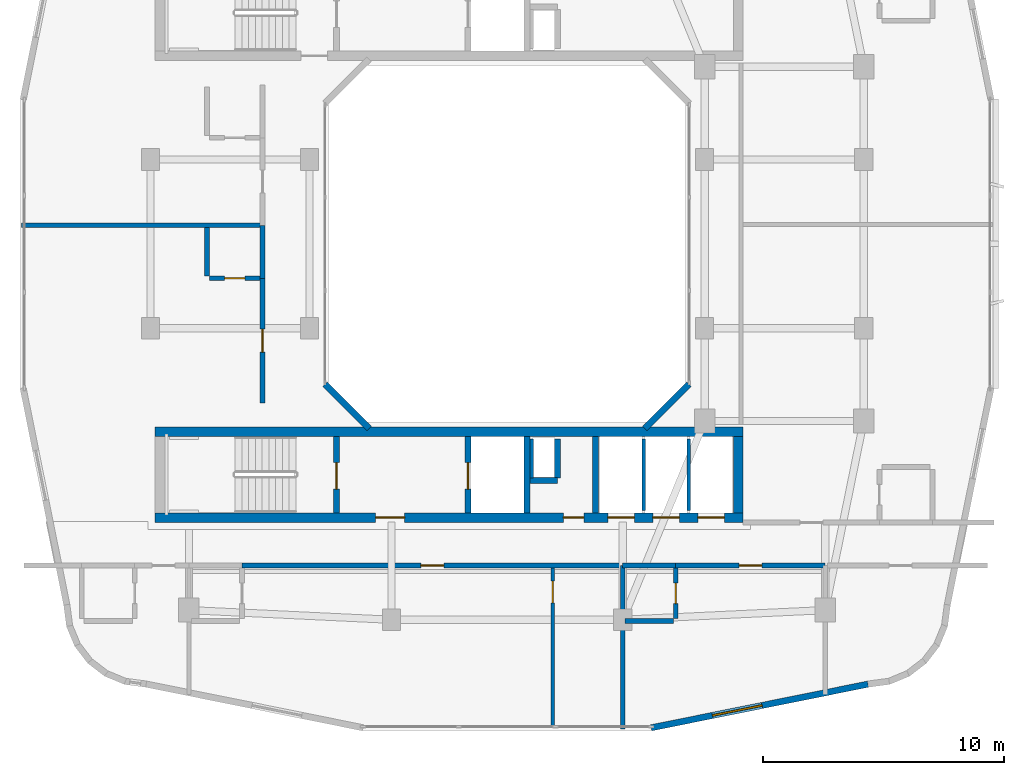
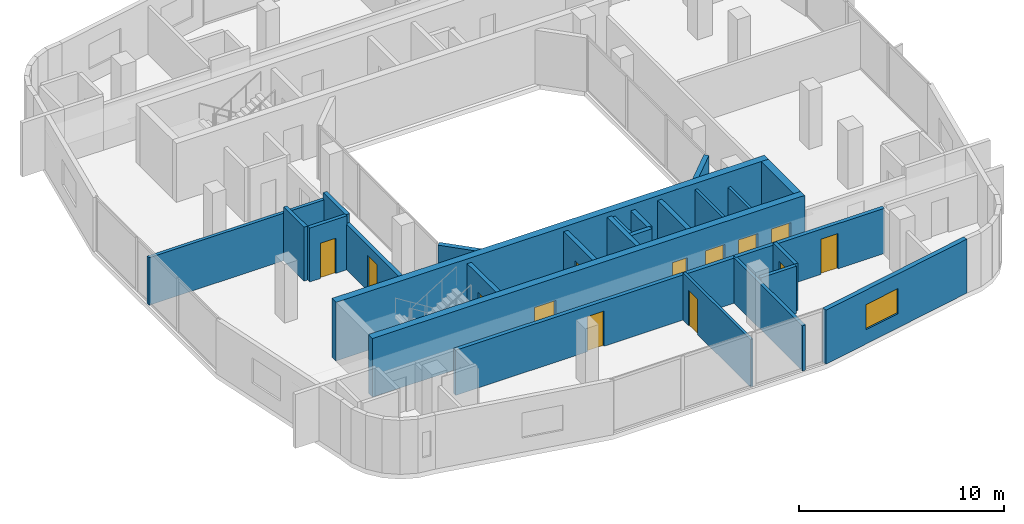
# One storey, part 7 of 14: 27 walls, 13 doors, 1 window, 14 openings.
"""IFC4 building model written with IfcOpenShell, lengths in metres."""

from ifc_helpers import new_model, si_unit, derived_unit, direction, frame, frame_2d, origin, place, context, subcontext, project, spatial, rectangle, extrude, material, layer, layer_set, type_object, element, fill, save


model = new_model("IFC4")

# Units and contexts
model_context = context("Model", 3, precision=1e-05, world=origin(), true_north=direction((0.0, 1.0)))
body_context = subcontext(model_context, "Body", "Model", "MODEL_VIEW")
ifc_project = project(units=[si_unit("LENGTHUNIT", "METRE"), si_unit("AREAUNIT", "SQUARE_METRE"), si_unit("VOLUMEUNIT", "CUBIC_METRE"), si_unit("PLANEANGLEUNIT", "RADIAN"), si_unit("MASSUNIT", "GRAM", prefix="KILO"), derived_unit("THERMALTRANSMITTANCEUNIT", [(si_unit("POWERUNIT", "WATT"), 1), (si_unit("LENGTHUNIT", "METRE"), -2), (si_unit("THERMODYNAMICTEMPERATUREUNIT", "KELVIN"), -1)])], contexts=[model_context])

# Site, building, storey
site_placement = place(None, origin())
site = spatial("IfcSite", under=ifc_project, at=site_placement, CompositionType="ELEMENT")
building_placement = place(site_placement, origin())
building = spatial("IfcBuilding", under=site, at=building_placement, Name="Kivonza Crest Hotel", CompositionType="ELEMENT")
storey_placement = place(building_placement, frame((0.0, 0.0, 138.0)))
storey = spatial("IfcBuildingStorey", under=building, at=storey_placement, Name="L37", CompositionType="ELEMENT", Elevation=138.0)

# Walls
ifc_material_1 = material(Name="High-density acoustic masonry inter-tenancy wall", Category="masonry")
ifc_layer_1 = layer(ifc_material_1, 0.179931640625)
ifc_layer_set_1 = layer_set([ifc_layer_1], Name="High-density acoustic masonry inter-tenancy wall")
wall_type_1 = type_object("IfcWallType", Name="WL-ACOU-180", PredefinedType="SOLIDWALL", material=ifc_layer_set_1)
wall_1_placement = place(storey_placement, frame((25.800048828125, 4.860107421875, 0.0), z_axis=(0.0, 0.0, 1.0), x_axis=(0.0, 1.0, 0.0)))
element("IfcWall", 1, at=wall_1_placement, inside=storey, type_object=wall_type_1, Name="L37 interior partition WA-L37-T1S-DIV2", PredefinedType="SOLIDWALL", context=body_context, shape_type="SweptSolid", body=[
    extrude(rectangle(XDim=6.789794921875, YDim=0.179931640625, at=frame_2d((3.39501953125, 0.0))), origin(), (0.0, 0.0, 1.0), 2.695068359375),
])
wall_2_placement = place(storey_placement, frame((0.860107421875, 25.77001953125, 0.0), z_axis=(0.0, 0.0, 1.0), x_axis=(1.0, 0.0, 0.0)))
element("IfcWall", 2, at=wall_2_placement, inside=storey, type_object=wall_type_1, Name="L37 interior partition WA-L37-T1W-DIV1", PredefinedType="SOLIDWALL", context=body_context, shape_type="SweptSolid", body=[
    extrude(rectangle(XDim=9.989990234375, YDim=0.179931640625, at=frame_2d((4.9951171875, 0.0))), origin(), (0.0, 0.0, 1.0), 2.8349609375),
])

# Wall, opening, door
ifc_material_2 = material(Name="Autoclaved aerated concrete blockwork", Category="masonry")
ifc_layer_2 = layer(ifc_material_2, 0.219970703125)
ifc_layer_set_2 = layer_set([ifc_layer_2], Name="Autoclaved aerated concrete blockwork")
wall_type_2 = type_object("IfcWallType", Name="WL-ACOU-220", PredefinedType="SOLIDWALL", material=ifc_layer_set_2)
wall_3_placement = place(storey_placement, frame((10.0, 11.64990234375, 0.0), z_axis=(0.0, 0.0, 1.0), x_axis=(1.0, 0.0, 0.0)))
wall_3 = element("IfcWall", 3, at=wall_3_placement, inside=storey, type_object=wall_type_2, Name="L37 interior partition WA-L37-S05-MCORR", PredefinedType="SOLIDWALL", context=body_context, shape_type="SweptSolid", body=[
    extrude(rectangle(XDim=15.800048828125, YDim=0.219970703125, at=frame_2d((7.89990234375, 0.0))), origin(), (0.0, 0.0, 1.0), 2.695068359375),
])
opening_1_placement = place(wall_3_placement, frame((7.425048828125, 0.0, 0.0)))
opening_1 = element("IfcOpeningElement", 4, at=opening_1_placement, cuts=wall_3, Name="Opening DU-60", PredefinedType="OPENING", context=body_context, shape_type="SweptSolid", body=[
    extrude(rectangle(XDim=0.949951171875, YDim=2.10009765625, at=frame_2d((0.47509765625, 1.050048828125))), frame((0.0, 0.1201171875, 0.0), z_axis=(0.0, -1.0, 0.0), x_axis=(1.0, 0.0, 0.0)), (0.0, 0.0, 1.0), 0.239990234375),
])
ifc_material_3 = material(Name="Hardwood timber oak", Category="wood")
door_type_1 = type_object("IfcDoorType", Name="DR-UNIT-950", OperationType="NOTDEFINED", PredefinedType="DOOR", material=ifc_material_3)
door_1_placement = place(opening_1_placement, frame((0.949951171875, 0.0, 0.0), z_axis=(0.0, 0.0, 1.0), x_axis=(-1.0, 0.0, 0.0)))
door_1 = element("IfcDoor", 5, at=door_1_placement, inside=storey, type_object=door_type_1, Name="L37 S05 guest unit entrance fire door", OperationType="SINGLE_SWING_LEFT", OverallHeight=2.10009765625, OverallWidth=0.949951171875, PredefinedType="DOOR", context=body_context, shape_type="SweptSolid", body=[
    extrude(rectangle(XDim=0.949951171875, YDim=2.10009765625, at=frame_2d((0.47509765625, 1.050048828125))), frame((0.0, 0.02490234375, 0.0), z_axis=(0.0, -1.0, 0.0), x_axis=(1.0, 0.0, 0.0)), (0.0, 0.0, 1.0), 0.050048828125),
])
fill(opening_1, door_1)

# Wall
wall_4_placement = place(storey_placement, frame((25.800048828125, 11.64990234375, 0.0), z_axis=(0.0, 0.0, 1.0), x_axis=(1.0, 0.0, 0.0)))
element("IfcWall", 6, at=wall_4_placement, inside=storey, type_object=wall_type_2, Name="L37 interior partition WA-L37-S06-BCORR", PredefinedType="SOLIDWALL", context=body_context, shape_type="SweptSolid", body=[
    extrude(rectangle(XDim=2.199951171875, YDim=0.219970703125, at=frame_2d((1.10009765625, 0.0))), origin(), (0.0, 0.0, 1.0), 2.695068359375),
])

# Wall, opening, door
wall_5_placement = place(storey_placement, frame((28.0, 11.64990234375, 0.0), z_axis=(0.0, 0.0, 1.0), x_axis=(1.0, 0.0, 0.0)))
wall_5 = element("IfcWall", 7, at=wall_5_placement, inside=storey, type_object=wall_type_2, Name="L37 interior partition WA-L37-S06-MCORR", PredefinedType="SOLIDWALL", context=body_context, shape_type="SweptSolid", body=[
    extrude(rectangle(XDim=6.199951171875, YDim=0.219970703125, at=frame_2d((3.10009765625, 0.0))), origin(), (0.0, 0.0, 1.0), 2.695068359375),
])
opening_2_placement = place(wall_5_placement, frame((2.625, 0.0, 0.0)))
opening_2 = element("IfcOpeningElement", 8, at=opening_2_placement, cuts=wall_5, Name="Opening DU-60", PredefinedType="OPENING", context=body_context, shape_type="SweptSolid", body=[
    extrude(rectangle(XDim=0.949951171875, YDim=2.10009765625, at=frame_2d((0.47509765625, 1.050048828125))), frame((0.0, 0.1201171875, 0.0), z_axis=(0.0, -1.0, 0.0), x_axis=(1.0, 0.0, 0.0)), (0.0, 0.0, 1.0), 0.239990234375),
])
door_2_placement = place(opening_2_placement, frame((0.949951171875, 0.0, 0.0), z_axis=(0.0, 0.0, 1.0), x_axis=(-1.0, 0.0, 0.0)))
door_2 = element("IfcDoor", 9, at=door_2_placement, inside=storey, type_object=door_type_1, Name="L37 S06 guest unit entrance fire door", OperationType="SINGLE_SWING_RIGHT", OverallHeight=2.10009765625, OverallWidth=0.949951171875, PredefinedType="DOOR", context=body_context, shape_type="SweptSolid", body=[
    extrude(rectangle(XDim=0.949951171875, YDim=2.10009765625, at=frame_2d((0.47509765625, 1.050048828125))), frame((0.0, 0.02490234375, 0.0), z_axis=(0.0, -1.0, 0.0), x_axis=(1.0, 0.0, 0.0)), (0.0, 0.0, 1.0), 0.050048828125),
])
fill(opening_2, door_2)

# Wall
wall_6_placement = place(storey_placement, frame((10.85009765625, 23.570068359375, 0.0), z_axis=(0.0, 0.0, 1.0), x_axis=(0.0, 1.0, 0.0)))
element("IfcWall", 10, at=wall_6_placement, inside=storey, type_object=wall_type_2, Name="L37 interior partition WA-L37-W07-BCORR", PredefinedType="SOLIDWALL", context=body_context, shape_type="SweptSolid", body=[
    extrude(rectangle(XDim=2.199951171875, YDim=0.219970703125, at=frame_2d((1.10009765625, 0.0))), origin(), (0.0, 0.0, 1.0), 3.219970703125),
])

# Wall, opening, door
wall_7_placement = place(storey_placement, frame((10.85009765625, 18.39990234375, 0.0), z_axis=(0.0, 0.0, 1.0), x_axis=(0.0, 1.0, 0.0)))
wall_7 = element("IfcWall", 11, at=wall_7_placement, inside=storey, type_object=wall_type_2, Name="L37 interior partition WA-L37-W07-MCORR", PredefinedType="SOLIDWALL", context=body_context, shape_type="SweptSolid", body=[
    extrude(rectangle(XDim=5.170166015625, YDim=0.219970703125, at=frame_2d((2.5849609375, 0.0))), origin(), (0.0, 0.0, 1.0), 2.695068359375),
])
opening_3_placement = place(wall_7_placement, frame((2.110107421875, 0.0, 0.0)))
opening_3 = element("IfcOpeningElement", 12, at=opening_3_placement, cuts=wall_7, Name="Opening DU-60", PredefinedType="OPENING", context=body_context, shape_type="SweptSolid", body=[
    extrude(rectangle(XDim=0.949951171875, YDim=2.10009765625, at=frame_2d((0.47509765625, 1.050048828125))), frame((0.0, 0.1201171875, 0.0), z_axis=(0.0, -1.0, 0.0), x_axis=(1.0, 0.0, 0.0)), (0.0, 0.0, 1.0), 0.239990234375),
])
door_3_placement = place(opening_3_placement, origin())
door_3 = element("IfcDoor", 13, at=door_3_placement, inside=storey, type_object=door_type_1, Name="L37 W07 guest unit entrance fire door", OperationType="SINGLE_SWING_LEFT", OverallHeight=2.10009765625, OverallWidth=0.949951171875, PredefinedType="DOOR", context=body_context, shape_type="SweptSolid", body=[
    extrude(rectangle(XDim=0.949951171875, YDim=2.10009765625, at=frame_2d((0.47509765625, 1.050048828125))), frame((0.0, 0.02490234375, 0.0), z_axis=(0.0, -1.0, 0.0), x_axis=(1.0, 0.0, 0.0)), (0.0, 0.0, 1.0), 0.050048828125),
])
fill(opening_3, door_3)

# Wall, openings, doors
ifc_material_4 = material(Name="Concrete C50/60", Category="concrete")
ifc_layer_3 = layer(ifc_material_4, 0.39990234375)
ifc_layer_set_3 = layer_set([ifc_layer_3], Name="Concrete C50/60")
wall_type_3 = type_object("IfcWallType", Name="WL-CORE-400", PredefinedType="SHEAR", material=ifc_layer_set_3)
wall_8_placement = place(storey_placement, frame((6.39990234375, 13.639892578125, 0.0), z_axis=(0.0, 0.0, 1.0), x_axis=(1.0, 0.0, 0.0)))
wall_8 = element("IfcWall", 14, at=wall_8_placement, inside=storey, type_object=wall_type_3, Name="Core wall T1-S South L37", PredefinedType="SHEAR", context=body_context, shape_type="SweptSolid", body=[
    extrude(rectangle(XDim=24.400146484375, YDim=0.39990234375, at=frame_2d((12.2001953125, 0.0))), origin(), (0.0, 0.0, 1.0), 3.5),
])
opening_4_placement = place(wall_8_placement, frame((9.14990234375, 0.0, 0.0)))
opening_4 = element("IfcOpeningElement", 15, at=opening_4_placement, cuts=wall_8, Name="Opening DF-60", PredefinedType="OPENING", context=body_context, shape_type="SweptSolid", body=[
    extrude(rectangle(XDim=1.199951171875, YDim=2.14990234375, at=frame_2d((0.60009765625, 1.074951171875))), frame((0.0, 0.2099609375, 0.0), z_axis=(0.0, -1.0, 0.0), x_axis=(1.0, 0.0, 0.0)), (0.0, 0.0, 1.0), 0.419921875),
])
opening_5_placement = place(wall_8_placement, frame((16.93994140625, 0.0, 0.0)))
opening_5 = element("IfcOpeningElement", 16, at=opening_5_placement, cuts=wall_8, Name="Opening DF-60R", PredefinedType="OPENING", context=body_context, shape_type="SweptSolid", body=[
    extrude(rectangle(XDim=0.85009765625, YDim=2.10009765625, at=frame_2d((0.425048828125, 1.050048828125))), frame((0.0, 0.2099609375, 0.0), z_axis=(0.0, -1.0, 0.0), x_axis=(1.0, 0.0, 0.0)), (0.0, 0.0, 1.0), 0.419921875),
])
opening_6_placement = place(wall_8_placement, frame((18.782958984375, 0.0, 0.0)))
opening_6 = element("IfcOpeningElement", 17, at=opening_6_placement, cuts=wall_8, Name="Opening LD-120", PredefinedType="OPENING", context=body_context, shape_type="SweptSolid", body=[
    extrude(rectangle(XDim=1.10009765625, YDim=2.14990234375, at=frame_2d((0.550048828125, 1.074951171875))), frame((0.0, 0.2099609375, 0.0), z_axis=(0.0, -1.0, 0.0), x_axis=(1.0, 0.0, 0.0)), (0.0, 0.0, 1.0), 0.419921875),
])
opening_7_placement = place(wall_8_placement, frame((20.64990234375, 0.0, 0.0)))
opening_7 = element("IfcOpeningElement", 18, at=opening_7_placement, cuts=wall_8, Name="Opening LD-120", PredefinedType="OPENING", context=body_context, shape_type="SweptSolid", body=[
    extrude(rectangle(XDim=1.10009765625, YDim=2.14990234375, at=frame_2d((0.550048828125, 1.074951171875))), frame((0.0, 0.2099609375, 0.0), z_axis=(0.0, -1.0, 0.0), x_axis=(1.0, 0.0, 0.0)), (0.0, 0.0, 1.0), 0.419921875),
])
opening_8_placement = place(wall_8_placement, frame((22.51708984375, 0.0, 0.0)))
opening_8 = element("IfcOpeningElement", 19, at=opening_8_placement, cuts=wall_8, Name="Opening LD-120", PredefinedType="OPENING", context=body_context, shape_type="SweptSolid", body=[
    extrude(rectangle(XDim=1.10009765625, YDim=2.14990234375, at=frame_2d((0.550048828125, 1.074951171875))), frame((0.0, 0.2099609375, 0.0), z_axis=(0.0, -1.0, 0.0), x_axis=(1.0, 0.0, 0.0)), (0.0, 0.0, 1.0), 0.419921875),
])
door_type_2 = type_object("IfcDoorType", Name="DR-FD60-1200", OperationType="NOTDEFINED", PredefinedType="DOOR", material=ifc_material_3)
door_4_placement = place(opening_4_placement, frame((1.199951171875, 0.0, 0.0), z_axis=(0.0, 0.0, 1.0), x_axis=(-1.0, 0.0, 0.0)))
door_4 = element("IfcDoor", 20, at=door_4_placement, inside=storey, type_object=door_type_2, Name="L37 T1-S firefighting lobby fire door", OperationType="SINGLE_SWING_LEFT", OverallHeight=2.14990234375, OverallWidth=1.199951171875, PredefinedType="DOOR", context=body_context, shape_type="SweptSolid", body=[
    extrude(rectangle(XDim=1.199951171875, YDim=2.14990234375, at=frame_2d((0.60009765625, 1.074951171875))), frame((0.0, 0.02490234375, 0.0), z_axis=(0.0, -1.0, 0.0), x_axis=(1.0, 0.0, 0.0)), (0.0, 0.0, 1.0), 0.050048828125),
])
fill(opening_4, door_4)
door_type_3 = type_object("IfcDoorType", Name="DR-FD60-850", OperationType="NOTDEFINED", PredefinedType="DOOR", material=ifc_material_3)
door_5_placement = place(opening_5_placement, frame((0.85009765625, 0.0, 0.0), z_axis=(0.0, 0.0, 1.0), x_axis=(-1.0, 0.0, 0.0)))
door_5 = element("IfcDoor", 21, at=door_5_placement, inside=storey, type_object=door_type_3, Name="L37 T1-S core room door", OperationType="SINGLE_SWING_RIGHT", OverallHeight=2.10009765625, OverallWidth=0.85009765625, PredefinedType="DOOR", context=body_context, shape_type="SweptSolid", body=[
    extrude(rectangle(XDim=0.85009765625, YDim=2.10009765625, at=frame_2d((0.425048828125, 1.050048828125))), frame((0.0, 0.02490234375, 0.0), z_axis=(0.0, -1.0, 0.0), x_axis=(1.0, 0.0, 0.0)), (0.0, 0.0, 1.0), 0.050048828125),
])
fill(opening_5, door_5)
ifc_material_5 = material(Name="Stainless steel", Category="steel")
door_type_4 = type_object("IfcDoorType", Name="DR-LD120-1100", OperationType="NOTDEFINED", PredefinedType="DOOR", material=ifc_material_5)
door_6_placement = place(opening_6_placement, frame((1.10009765625, 0.0, 0.0), z_axis=(0.0, 0.0, 1.0), x_axis=(-1.0, 0.0, 0.0)))
door_6 = element("IfcDoor", 22, at=door_6_placement, inside=storey, type_object=door_type_4, Name="L37 PL-T1-H1 passenger lift sliding landing door", OperationType="DOUBLE_DOOR_SLIDING", OverallHeight=2.14990234375, OverallWidth=1.10009765625, PredefinedType="DOOR", context=body_context, shape_type="SweptSolid", body=[
    extrude(rectangle(XDim=1.10009765625, YDim=2.14990234375, at=frame_2d((0.550048828125, 1.074951171875))), frame((0.0, 0.02490234375, 0.0), z_axis=(0.0, -1.0, 0.0), x_axis=(1.0, 0.0, 0.0)), (0.0, 0.0, 1.0), 0.050048828125),
])
fill(opening_6, door_6)
door_7_placement = place(opening_7_placement, frame((1.10009765625, 0.0, 0.0), z_axis=(0.0, 0.0, 1.0), x_axis=(-1.0, 0.0, 0.0)))
door_7 = element("IfcDoor", 23, at=door_7_placement, inside=storey, type_object=door_type_4, Name="L37 PL-T1-H2 passenger lift sliding landing door", OperationType="DOUBLE_DOOR_SLIDING", OverallHeight=2.14990234375, OverallWidth=1.10009765625, PredefinedType="DOOR", context=body_context, shape_type="SweptSolid", body=[
    extrude(rectangle(XDim=1.10009765625, YDim=2.14990234375, at=frame_2d((0.550048828125, 1.074951171875))), frame((0.0, 0.02490234375, 0.0), z_axis=(0.0, -1.0, 0.0), x_axis=(1.0, 0.0, 0.0)), (0.0, 0.0, 1.0), 0.050048828125),
])
fill(opening_7, door_7)
door_8_placement = place(opening_8_placement, frame((1.10009765625, 0.0, 0.0), z_axis=(0.0, 0.0, 1.0), x_axis=(-1.0, 0.0, 0.0)))
door_8 = element("IfcDoor", 24, at=door_8_placement, inside=storey, type_object=door_type_4, Name="L37 PL-T1-H3 passenger lift sliding landing door", OperationType="DOUBLE_DOOR_SLIDING", OverallHeight=2.14990234375, OverallWidth=1.10009765625, PredefinedType="DOOR", context=body_context, shape_type="SweptSolid", body=[
    extrude(rectangle(XDim=1.10009765625, YDim=2.14990234375, at=frame_2d((0.550048828125, 1.074951171875))), frame((0.0, 0.02490234375, 0.0), z_axis=(0.0, -1.0, 0.0), x_axis=(1.0, 0.0, 0.0)), (0.0, 0.0, 1.0), 0.050048828125),
])
fill(opening_8, door_8)

# Walls
wall_9_placement = place(storey_placement, frame((6.39990234375, 17.199951171875, 0.0), z_axis=(0.0, 0.0, 1.0), x_axis=(1.0, 0.0, 0.0)))
element("IfcWall", 25, at=wall_9_placement, inside=storey, type_object=wall_type_3, Name="Core wall T1-S North L37", PredefinedType="SHEAR", context=body_context, shape_type="SweptSolid", body=[
    extrude(rectangle(XDim=24.400146484375, YDim=0.39990234375, at=frame_2d((12.2001953125, 0.0))), origin(), (0.0, 0.0, 1.0), 3.5),
])
wall_10_placement = place(storey_placement, frame((30.60009765625, 13.840087890625, 0.0), z_axis=(0.0, 0.0, 1.0), x_axis=(0.0, 1.0, 0.0)))
element("IfcWall", 26, at=wall_10_placement, inside=storey, type_object=wall_type_3, Name="Core wall T1-S East L37", PredefinedType="SHEAR", context=body_context, shape_type="SweptSolid", body=[
    extrude(rectangle(XDim=3.159912109375, YDim=0.39990234375, at=frame_2d((1.580078125, 0.0))), origin(), (0.0, 0.0, 1.0), 3.5),
])

# Wall, opening, window
ifc_material_6 = material(Name="Precast concrete C40/50", Category="concrete")
ifc_layer_4 = layer(ifc_material_6, 0.260009765625)
ifc_layer_set_4 = layer_set([ifc_layer_4], Name="Precast concrete C40/50")
wall_type_4 = type_object("IfcWallType", Name="WL-EXT-260", PredefinedType="STANDARD", material=ifc_layer_set_4)
wall_11_placement = place(storey_placement, frame((26.97998046875, 4.916015625, 0.0), z_axis=(0.0, 0.0, 1.0), x_axis=(0.980315963543, 0.197435082048, 0.0)))
wall_11 = element("IfcWall", 27, at=wall_11_placement, inside=storey, type_object=wall_type_4, Name="L37 T1 exterior insulated wall 9", PredefinedType="STANDARD", context=body_context, shape_type="SweptSolid", body=[
    extrude(rectangle(XDim=9.1826171875, YDim=0.260009765625, at=frame_2d((4.59130859375, 0.0))), origin(), (0.0, 0.0, 1.0), 3.219970703125),
])
opening_9_placement = place(wall_11_placement, frame((2.594970703125, 0.0, 0.85009765625)))
opening_9 = element("IfcOpeningElement", 28, at=opening_9_placement, cuts=wall_11, Name="Opening WN-04", PredefinedType="OPENING", context=body_context, shape_type="SweptSolid", body=[
    extrude(rectangle(XDim=2.10009765625, YDim=1.5, at=frame_2d((1.050048828125, 0.75))), frame((0.0, 0.14013671875, 0.0), z_axis=(0.0, -1.0, 0.0), x_axis=(1.0, 0.0, 0.0)), (0.0, 0.0, 1.0), 0.280029296875),
])
ifc_material_7 = material(Name="Thermally broken bronze aluminium and low-E double glazing", Category="aluminium")
window_type = type_object("IfcWindowType", Name="WN-210x150", PartitioningType="DOUBLE_PANEL_VERTICAL", PredefinedType="WINDOW", material=ifc_material_7)
window_placement = place(opening_9_placement, origin())
window = element("IfcWindow", 29, at=window_placement, inside=storey, type_object=window_type, Name="L37 T1 facade window 9", OverallHeight=1.5, OverallWidth=2.10009765625, PartitioningType="SINGLE_PANEL", PredefinedType="WINDOW", context=body_context, shape_type="SweptSolid", body=[
    extrude(rectangle(XDim=2.10009765625, YDim=1.5, at=frame_2d((1.050048828125, 0.75))), frame((0.0, 0.030029296875, 0.0), z_axis=(0.0, -1.0, 0.0), x_axis=(1.0, 0.0, 0.0)), (0.0, 0.0, 1.0), 0.06005859375),
])
fill(opening_9, window)

# Walls
for number, where, z_axis, x_axis, name in (
    (30, (26.721923828125, 17.337890625, 0.0), (0.0, 0.0, 1.0), (0.707059717605, 0.707153841636, 0.0), "L37 T1 light-well exterior wall 2"),
    (31, (13.444091796875, 19.172119140625, 0.0), (0.0, 0.0, 1.0), (0.707059717605, -0.707153841636, 0.0), "L37 T1 light-well exterior wall 8"),
):
    element("IfcWall", number, at=place(storey_placement, frame(where, z_axis=z_axis, x_axis=x_axis)), inside=storey, type_object=wall_type_4, Name=name, PredefinedType="STANDARD", context=body_context, shape_type="SweptSolid", body=[
        extrude(rectangle(XDim=2.59375, YDim=0.260009765625, at=frame_2d((1.296875, 0.0))), origin(), (0.0, 0.0, 1.0), 3.219970703125),
    ])
ifc_material_8 = material(Name="Concrete blockwork fire-compartment wall", Category="masonry")
ifc_layer_5 = layer(ifc_material_8, 0.25)
ifc_layer_set_5 = layer_set([ifc_layer_5], Name="Concrete blockwork fire-compartment wall")
wall_type_5 = type_object("IfcWallType", Name="WL-FIRE-250", PredefinedType="SOLIDWALL", material=ifc_layer_set_5)
wall_12_placement = place(storey_placement, frame((23.10009765625, 15.280029296875, 0.0), z_axis=(0.0, 0.0, 1.0), x_axis=(0.0, 1.0, 0.0)))
element("IfcWall", 32, at=wall_12_placement, inside=storey, type_object=wall_type_5, Name="L37 interior partition WA-L37-T1-S-MEPR-E", PredefinedType="SOLIDWALL", context=body_context, shape_type="SweptSolid", body=[
    extrude(rectangle(XDim=1.619873046875, YDim=0.25, at=frame_2d((0.81005859375, 0.0))), origin(), (0.0, 0.0, 1.0), 3.219970703125),
])
wall_13_placement = place(storey_placement, frame((21.949951171875, 15.179931640625, 0.0), z_axis=(0.0, 0.0, 1.0), x_axis=(1.0, 0.0, 0.0)))
element("IfcWall", 33, at=wall_13_placement, inside=storey, type_object=wall_type_5, Name="L37 interior partition WA-L37-T1-S-MEPR-H", PredefinedType="SOLIDWALL", context=body_context, shape_type="SweptSolid", body=[
    extrude(rectangle(XDim=1.150146484375, YDim=0.25, at=frame_2d((0.5751953125, 0.0))), origin(), (0.0, 0.0, 1.0), 3.219970703125),
])
ifc_material_9 = material(Name="Twin-stud acoustic gypsum board partition", Category="gypsum")
ifc_layer_6 = layer(ifc_material_9, 0.14990234375)
ifc_layer_set_6 = layer_set([ifc_layer_6], Name="Twin-stud acoustic gypsum board partition")
wall_type_6 = type_object("IfcWallType", Name="WL-PART-150", PredefinedType="PARTITIONING", material=ifc_layer_set_6)
wall_14_placement = place(storey_placement, frame((22.030029296875, 15.280029296875, 0.0), z_axis=(0.0, 0.0, 1.0), x_axis=(0.0, 1.0, 0.0)))
element("IfcWall", 34, at=wall_14_placement, inside=storey, type_object=wall_type_6, Name="L37 interior partition WA-L37-T1-S-MEPR-W", PredefinedType="PARTITIONING", context=body_context, shape_type="SweptSolid", body=[
    extrude(rectangle(XDim=1.619873046875, YDim=0.14990234375, at=frame_2d((0.81005859375, 0.0))), origin(), (0.0, 0.0, 1.0), 3.219970703125),
])
wall_15_placement = place(storey_placement, frame((26.6669921875, 13.93994140625, 0.0), z_axis=(0.0, 0.0, 1.0), x_axis=(0.0, 1.0, 0.0)))
element("IfcWall", 35, at=wall_15_placement, inside=storey, type_object=wall_type_6, Name="L37 interior partition WP-L37-T1-S-BSH-1", PredefinedType="PARTITIONING", context=body_context, shape_type="SweptSolid", body=[
    extrude(rectangle(XDim=2.9599609375, YDim=0.14990234375, at=frame_2d((1.47998046875, 0.0))), origin(), (0.0, 0.0, 1.0), 3.219970703125),
])
wall_16_placement = place(storey_placement, frame((28.532958984375, 13.93994140625, 0.0), z_axis=(0.0, 0.0, 1.0), x_axis=(0.0, 1.0, 0.0)))
element("IfcWall", 36, at=wall_16_placement, inside=storey, type_object=wall_type_6, Name="L37 interior partition WP-L37-T1-S-BSH-2", PredefinedType="PARTITIONING", context=body_context, shape_type="SweptSolid", body=[
    extrude(rectangle(XDim=2.9599609375, YDim=0.14990234375, at=frame_2d((1.47998046875, 0.0))), origin(), (0.0, 0.0, 1.0), 2.695068359375),
])

# Wall, opening, door
wall_17_placement = place(storey_placement, frame((22.89990234375, 4.9599609375, 0.0), z_axis=(0.0, 0.0, 1.0), x_axis=(0.0, 1.0, 0.0)))
wall_17 = element("IfcWall", 37, at=wall_17_placement, inside=storey, type_object=wall_type_6, Name="L37 interior partition WP-L37-S05-SPSP", PredefinedType="PARTITIONING", context=body_context, shape_type="SweptSolid", body=[
    extrude(rectangle(XDim=6.590087890625, YDim=0.14990234375, at=frame_2d((3.294921875, 0.0))), origin(), (0.0, 0.0, 1.0), 2.8349609375),
])
opening_10_placement = place(wall_17_placement, frame((5.139892578125, 0.0, 0.0)))
opening_10 = element("IfcOpeningElement", 38, at=opening_10_placement, cuts=wall_17, Name="Opening DI-90", PredefinedType="OPENING", context=body_context, shape_type="SweptSolid", body=[
    extrude(rectangle(XDim=0.89990234375, YDim=2.10009765625, at=frame_2d((0.449951171875, 1.050048828125))), frame((0.0, 0.0849609375, 0.0), z_axis=(0.0, -1.0, 0.0), x_axis=(1.0, 0.0, 0.0)), (0.0, 0.0, 1.0), 0.169921875),
])
door_type_5 = type_object("IfcDoorType", Name="DR-INT-900", OperationType="NOTDEFINED", PredefinedType="DOOR", material=ifc_material_3)
door_9_placement = place(opening_10_placement, origin())
door_9 = element("IfcDoor", 39, at=door_9_placement, inside=storey, type_object=door_type_5, Name="L37 S05 suite bedroom door", OperationType="SINGLE_SWING_RIGHT", OverallHeight=2.10009765625, OverallWidth=0.89990234375, PredefinedType="DOOR", context=body_context, shape_type="SweptSolid", body=[
    extrude(rectangle(XDim=0.89990234375, YDim=2.10009765625, at=frame_2d((0.449951171875, 1.050048828125))), frame((0.0, 0.02490234375, 0.0), z_axis=(0.0, -1.0, 0.0), x_axis=(1.0, 0.0, 0.0)), (0.0, 0.0, 1.0), 0.050048828125),
])
fill(opening_10, door_9)

ifc_material_10 = material(Name="Moisture-resistant plumbing chase partition wall", Category="gypsum")
ifc_layer_7 = layer(ifc_material_10, 0.199951171875)
ifc_layer_set_7 = layer_set([ifc_layer_7], Name="Moisture-resistant plumbing chase partition wall")
wall_type_7 = type_object("IfcWallType", Name="WL-PLUMB-200", PredefinedType="PLUMBINGWALL", material=ifc_layer_set_7)
wall_18_placement = place(storey_placement, frame((28.0, 9.449951171875, 0.0), z_axis=(0.0, 0.0, 1.0), x_axis=(0.0, 1.0, 0.0)))
wall_18 = element("IfcWall", 40, at=wall_18_placement, inside=storey, type_object=wall_type_7, Name="L37 interior partition WW-L37-S06-BV", PredefinedType="PLUMBINGWALL", context=body_context, shape_type="SweptSolid", body=[
    extrude(rectangle(XDim=2.10009765625, YDim=0.199951171875, at=frame_2d((1.050048828125, 0.0))), origin(), (0.0, 0.0, 1.0), 2.8349609375),
])
opening_11_placement = place(wall_18_placement, frame((0.625, 0.0, 0.0)))
opening_11 = element("IfcOpeningElement", 41, at=opening_11_placement, cuts=wall_18, Name="Opening DI-85", PredefinedType="OPENING", context=body_context, shape_type="SweptSolid", body=[
    extrude(rectangle(XDim=0.85009765625, YDim=2.10009765625, at=frame_2d((0.425048828125, 1.050048828125))), frame((0.0, 0.10986328125, 0.0), z_axis=(0.0, -1.0, 0.0), x_axis=(1.0, 0.0, 0.0)), (0.0, 0.0, 1.0), 0.219970703125),
])
door_type_6 = type_object("IfcDoorType", Name="DR-INT-850", OperationType="NOTDEFINED", PredefinedType="DOOR", material=ifc_material_3)
door_10_placement = place(opening_11_placement, frame((0.85009765625, 0.0, 0.0), z_axis=(0.0, 0.0, 1.0), x_axis=(-1.0, 0.0, 0.0)))
door_10 = element("IfcDoor", 42, at=door_10_placement, inside=storey, type_object=door_type_6, Name="L37 S06 en-suite bathroom door", OperationType="SINGLE_SWING_LEFT", OverallHeight=2.10009765625, OverallWidth=0.85009765625, PredefinedType="DOOR", context=body_context, shape_type="SweptSolid", body=[
    extrude(rectangle(XDim=0.85009765625, YDim=2.10009765625, at=frame_2d((0.425048828125, 1.050048828125))), frame((0.0, 0.02490234375, 0.0), z_axis=(0.0, -1.0, 0.0), x_axis=(1.0, 0.0, 0.0)), (0.0, 0.0, 1.0), 0.050048828125),
])
fill(opening_11, door_10)

# Wall
wall_19_placement = place(storey_placement, frame((25.89990234375, 9.35009765625, 0.0), z_axis=(0.0, 0.0, 1.0), x_axis=(1.0, 0.0, 0.0)))
element("IfcWall", 43, at=wall_19_placement, inside=storey, type_object=wall_type_7, Name="L37 interior partition WW-L37-S06-BH", PredefinedType="PLUMBINGWALL", context=body_context, shape_type="SweptSolid", body=[
    extrude(rectangle(XDim=2.0, YDim=0.199951171875, at=frame_2d((1.0, 0.0))), origin(), (0.0, 0.0, 1.0), 2.8349609375),
])

# Wall, opening, door
wall_20_placement = place(storey_placement, frame((8.64990234375, 23.570068359375, 0.0), z_axis=(0.0, 0.0, 1.0), x_axis=(1.0, 0.0, 0.0)))
wall_20 = element("IfcWall", 44, at=wall_20_placement, inside=storey, type_object=wall_type_7, Name="L37 interior partition WW-L37-W07-BH", PredefinedType="PLUMBINGWALL", context=body_context, shape_type="SweptSolid", body=[
    extrude(rectangle(XDim=2.10009765625, YDim=0.199951171875, at=frame_2d((1.050048828125, 0.0))), origin(), (0.0, 0.0, 1.0), 3.219970703125),
])
opening_12_placement = place(wall_20_placement, frame((0.625, 0.0, 0.0)))
opening_12 = element("IfcOpeningElement", 45, at=opening_12_placement, cuts=wall_20, Name="Opening DI-85", PredefinedType="OPENING", context=body_context, shape_type="SweptSolid", body=[
    extrude(rectangle(XDim=0.85009765625, YDim=2.10009765625, at=frame_2d((0.425048828125, 1.050048828125))), frame((0.0, 0.10986328125, 0.0), z_axis=(0.0, -1.0, 0.0), x_axis=(1.0, 0.0, 0.0)), (0.0, 0.0, 1.0), 0.219970703125),
])
door_11_placement = place(opening_12_placement, frame((0.85009765625, 0.0, 0.0), z_axis=(0.0, 0.0, 1.0), x_axis=(-1.0, 0.0, 0.0)))
door_11 = element("IfcDoor", 46, at=door_11_placement, inside=storey, type_object=door_type_6, Name="L37 W07 en-suite bathroom door", OperationType="SINGLE_SWING_RIGHT", OverallHeight=2.10009765625, OverallWidth=0.85009765625, PredefinedType="DOOR", context=body_context, shape_type="SweptSolid", body=[
    extrude(rectangle(XDim=0.85009765625, YDim=2.10009765625, at=frame_2d((0.425048828125, 1.050048828125))), frame((0.0, 0.02490234375, 0.0), z_axis=(0.0, -1.0, 0.0), x_axis=(1.0, 0.0, 0.0)), (0.0, 0.0, 1.0), 0.050048828125),
])
fill(opening_12, door_11)

# Wall
wall_21_placement = place(storey_placement, frame((8.550048828125, 23.669921875, 0.0), z_axis=(0.0, 0.0, 1.0), x_axis=(0.0, 1.0, 0.0)))
element("IfcWall", 47, at=wall_21_placement, inside=storey, type_object=wall_type_7, Name="L37 interior partition WW-L37-W07-BV", PredefinedType="PLUMBINGWALL", context=body_context, shape_type="SweptSolid", body=[
    extrude(rectangle(XDim=2.0, YDim=0.199951171875, at=frame_2d((1.0, 0.0))), origin(), (0.0, 0.0, 1.0), 3.219970703125),
])

# Wall, opening, door
ifc_layer_8 = layer(ifc_material_4, 0.25)
ifc_layer_set_8 = layer_set([ifc_layer_8], Name="Concrete C50/60")
wall_type_8 = type_object("IfcWallType", Name="WL-SHAFT-250", PredefinedType="STANDARD", material=ifc_layer_set_8)
wall_22_placement = place(storey_placement, frame((13.925048828125, 13.840087890625, 0.0), z_axis=(0.0, 0.0, 1.0), x_axis=(0.0, 1.0, 0.0)))
wall_22 = element("IfcWall", 48, at=wall_22_placement, inside=storey, type_object=wall_type_8, Name="Core shaft wall T1-S STAIR L37", PredefinedType="STANDARD", context=body_context, shape_type="SweptSolid", body=[
    extrude(rectangle(XDim=3.159912109375, YDim=0.25, at=frame_2d((1.580078125, 0.0))), origin(), (0.0, 0.0, 1.0), 3.219970703125),
])
opening_13_placement = place(wall_22_placement, frame((0.97998046875, 0.0, 0.0)))
opening_13 = element("IfcOpeningElement", 49, at=opening_13_placement, cuts=wall_22, Name="Opening DF-120", PredefinedType="OPENING", context=body_context, shape_type="SweptSolid", body=[
    extrude(rectangle(XDim=1.10009765625, YDim=2.14990234375, at=frame_2d((0.550048828125, 1.074951171875))), frame((0.0, 0.135009765625, 0.0), z_axis=(0.0, -1.0, 0.0), x_axis=(1.0, 0.0, 0.0)), (0.0, 0.0, 1.0), 0.27001953125),
])
ifc_material_11 = material(Name="Galvanised steel", Category="steel")
door_type_7 = type_object("IfcDoorType", Name="DR-FD120-1100", OperationType="NOTDEFINED", PredefinedType="DOOR", material=ifc_material_11)
door_12_placement = place(opening_13_placement, frame((1.10009765625, 0.0, 0.0), z_axis=(0.0, 0.0, 1.0), x_axis=(-1.0, 0.0, 0.0)))
door_12 = element("IfcDoor", 50, at=door_12_placement, inside=storey, type_object=door_type_7, Name="L37 T1-S stair fire door", OperationType="SINGLE_SWING_RIGHT", OverallHeight=2.14990234375, OverallWidth=1.10009765625, PredefinedType="DOOR", context=body_context, shape_type="SweptSolid", body=[
    extrude(rectangle(XDim=1.10009765625, YDim=2.14990234375, at=frame_2d((0.550048828125, 1.074951171875))), frame((0.0, 0.02490234375, 0.0), z_axis=(0.0, -1.0, 0.0), x_axis=(1.0, 0.0, 0.0)), (0.0, 0.0, 1.0), 0.050048828125),
])
fill(opening_13, door_12)

wall_23_placement = place(storey_placement, frame((19.375, 13.840087890625, 0.0), z_axis=(0.0, 0.0, 1.0), x_axis=(0.0, 1.0, 0.0)))
wall_23 = element("IfcWall", 51, at=wall_23_placement, inside=storey, type_object=wall_type_8, Name="Core shaft wall T1-S FFL-W L37", PredefinedType="STANDARD", context=body_context, shape_type="SweptSolid", body=[
    extrude(rectangle(XDim=3.159912109375, YDim=0.25, at=frame_2d((1.580078125, 0.0))), origin(), (0.0, 0.0, 1.0), 3.219970703125),
])
opening_14_placement = place(wall_23_placement, frame((0.97998046875, 0.0, 0.0)))
opening_14 = element("IfcOpeningElement", 52, at=opening_14_placement, cuts=wall_23, Name="Opening LD-120", PredefinedType="OPENING", context=body_context, shape_type="SweptSolid", body=[
    extrude(rectangle(XDim=1.10009765625, YDim=2.14990234375, at=frame_2d((0.550048828125, 1.074951171875))), frame((0.0, 0.135009765625, 0.0), z_axis=(0.0, -1.0, 0.0), x_axis=(1.0, 0.0, 0.0)), (0.0, 0.0, 1.0), 0.27001953125),
])
door_13_placement = place(opening_14_placement, origin())
door_13 = element("IfcDoor", 53, at=door_13_placement, inside=storey, type_object=door_type_4, Name="L37 FFL-T1-S firefighting lift sliding landing door", OperationType="DOUBLE_DOOR_SLIDING", OverallHeight=2.14990234375, OverallWidth=1.10009765625, PredefinedType="DOOR", context=body_context, shape_type="SweptSolid", body=[
    extrude(rectangle(XDim=1.10009765625, YDim=2.14990234375, at=frame_2d((0.550048828125, 1.074951171875))), frame((0.0, 0.02490234375, 0.0), z_axis=(0.0, -1.0, 0.0), x_axis=(1.0, 0.0, 0.0)), (0.0, 0.0, 1.0), 0.050048828125),
])
fill(opening_14, door_13)

# Walls
for number, where, z_axis, x_axis, name in (
    (54, (21.824951171875, 13.840087890625, 0.0), (0.0, 0.0, 1.0), (0.0, 1.0, 0.0), "Core shaft wall T1-S FFL-E L37"),
    (55, (24.675048828125, 13.840087890625, 0.0), (0.0, 0.0, 1.0), (0.0, 1.0, 0.0), "Core shaft wall T1-S BANK-W L37"),
):
    element("IfcWall", number, at=place(storey_placement, frame(where, z_axis=z_axis, x_axis=x_axis)), inside=storey, type_object=wall_type_8, Name=name, PredefinedType="STANDARD", context=body_context, shape_type="SweptSolid", body=[
        extrude(rectangle(XDim=3.159912109375, YDim=0.25, at=frame_2d((1.580078125, 0.0))), origin(), (0.0, 0.0, 1.0), 3.219970703125),
    ])

save(model, "model.ifc")
